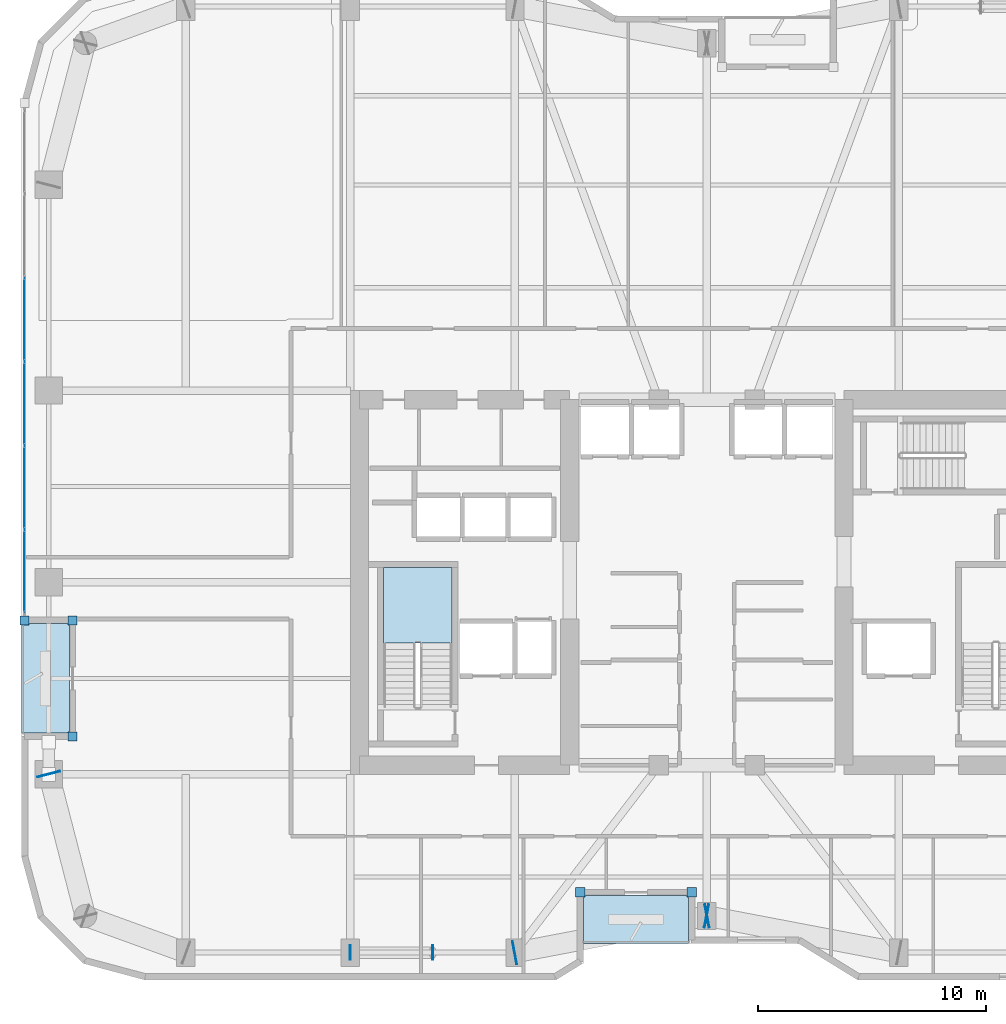
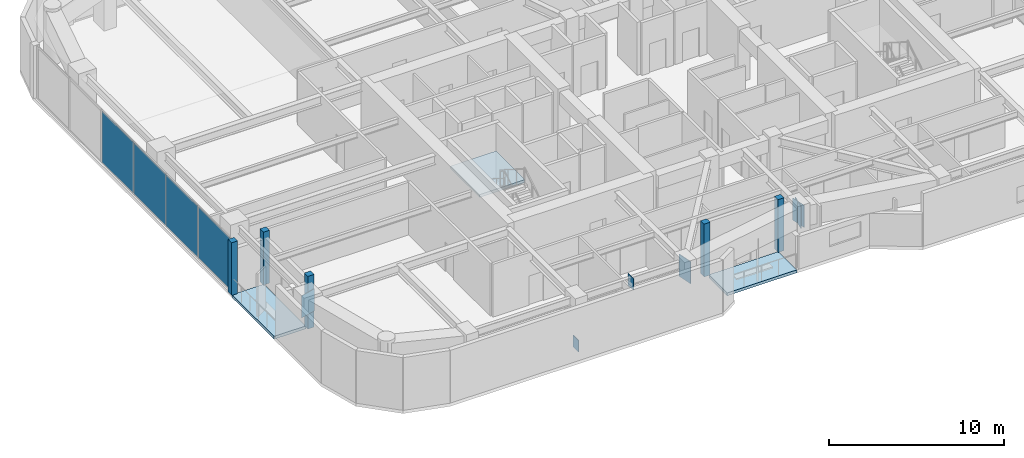
# One storey, part 21 of 30: 15 plates, 3 slabs, 2 elements without a shape of their own.
"""IFC4 building model written with IfcOpenShell, lengths in metres."""

from ifc_helpers import new_model, si_unit, direction, frame, origin, origin_2d, place, context, subcontext, project, spatial, polyline, rectangle, outline, extrude, material, layer, layer_set, type_object, element, aggregate, save


model = new_model("IFC4")

# Units and contexts
model_context = context("Model", 3, precision=1e-05, world=origin(), true_north=direction((0.0, 1.0)))
body_context = subcontext(model_context, "Body", "Model", "MODEL_VIEW")
ifc_project = project(units=[si_unit("LENGTHUNIT", "METRE"), si_unit("AREAUNIT", "SQUARE_METRE"), si_unit("VOLUMEUNIT", "CUBIC_METRE"), si_unit("PLANEANGLEUNIT", "RADIAN"), si_unit("MASSUNIT", "GRAM", prefix="KILO")], contexts=[model_context])

# Site, building, storey
site_placement = place(None, origin())
site = spatial("IfcSite", under=ifc_project, at=site_placement, CompositionType="ELEMENT")
building_placement = place(site_placement, origin())
building = spatial("IfcBuilding", under=site, at=building_placement, Name="Kiyonajd Concourse Tower", CompositionType="ELEMENT")
storey_placement = place(building_placement, frame((0.0, 0.0, 162.300048828125)))
storey = spatial("IfcBuildingStorey", under=building, at=storey_placement, Name="L41", CompositionType="ELEMENT", Elevation=162.300048828125)

# Plates
ifc_material_1 = material(Name="Steel ASTM A572 Grade 50", Category="steel")
ifc_layer_1 = layer(ifc_material_1, 0.028076171875)
ifc_layer_set_1 = layer_set([ifc_layer_1], Name="Steel ASTM A572 Grade 50")
plate_type_1 = type_object("IfcPlateType", Name="PL-CAP-450", PredefinedType="USERDEFINED", material=ifc_layer_set_1)
for number, where, z_axis, x_axis, name in (
    (1, (32.3916015625, 19.800048828125, -0.10888671875), (0.0, 0.0, 1.0), (-1.0, 0.0, 0.0), "L41 Hollow Brace End Cap Plate PBS"),
    (2, (36.00830078125, 19.800048828125, 2.93505859375), (0.0, 0.0, 1.0), (1.0, 0.0, 0.0), "L41 Hollow Brace Top Cap Plate PBS"),
):
    element("IfcPlate", number, at=place(storey_placement, frame(where, z_axis=z_axis, x_axis=x_axis)), inside=storey, type_object=plate_type_1, Name=name, ObjectType="CAP PLATE", PredefinedType="USERDEFINED", context=body_context, shape_type="SweptSolid", body=[
        extrude(rectangle(XDim=0.035888671875, YDim=0.6279296875, at=origin_2d()), origin(), (0.0, 0.0, 1.0), 0.803955078125),
    ])
ifc_layer_2 = layer(ifc_material_1, 0.031982421875)
ifc_layer_set_2 = layer_set([ifc_layer_2], Name="Steel ASTM A572 Grade 50")
plate_type_2 = type_object("IfcPlateType", Name="PL-CAP-540", PredefinedType="USERDEFINED", material=ifc_layer_set_2)
for number, where, z_axis, x_axis, name in (
    (3, (19.197265625, 27.610595703125, 2.2099609375), (0.0, 0.0, 1.0), (-0.249873048837, 0.968278606324, 0.0), "L41 Welded Box Girder End Cap"),
    (4, (39.589111328125, 19.7978515625, 2.2099609375), (0.0, 0.0, 1.0), (-0.982352599301, -0.187038420242, 0.0), "L41 Welded Box Girder End Cap"),
    (5, (48.0107421875, 21.402099609375, 2.2099609375), (0.0, 0.0, 1.0), (0.982352599301, 0.187038420242, 0.0), "L41 Welded Box Girder End Cap"),
    (6, (47.9892578125, 21.402099609375, 2.2099609375), (0.0, 0.0, 1.0), (-0.982352599301, 0.187038420242, 0.0), "L41 Welded Box Girder End Cap"),
):
    element("IfcPlate", number, at=place(storey_placement, frame(where, z_axis=z_axis, x_axis=x_axis)), inside=storey, type_object=plate_type_2, Name=name, ObjectType="CAP PLATE", PredefinedType="USERDEFINED", context=body_context, shape_type="SweptSolid", body=[
        extrude(rectangle(XDim=0.035888671875, YDim=1.02001953125, at=origin_2d()), origin(), (0.0, 0.0, 1.0), 1.5400390625),
    ])

# Curtain wall, plates
ifc_material_2 = material(Name="Thermally Broken Anodised Aluminium", Category="aluminium")
ifc_layer_3 = layer(ifc_material_2, 0.179931640625)
ifc_layer_set_3 = layer_set([ifc_layer_3], Name="Thermally Broken Anodised Aluminium")
curtain_wall_type = type_object("IfcCurtainWallType", Name="CW-SYS-03", PredefinedType="NOTDEFINED", material=ifc_layer_set_3)
curtain_wall_placement = place(storey_placement, origin())
curtain_wall = element("IfcCurtainWall", 7, at=curtain_wall_placement, inside=storey, type_object=curtain_wall_type, Name="L41 Unitised Curtain Wall CW3", PredefinedType="NOTDEFINED")
ifc_material_3 = material(Name="Double Low-E Insulated Glass", Category="glass")
ifc_layer_4 = layer(ifc_material_3, 0.033935546875)
ifc_layer_set_4 = layer_set([ifc_layer_4], Name="Double Low-E Insulated Glass")
plate_type_3 = type_object("IfcPlateType", Name="PL-CW-VIS34", PredefinedType="CURTAIN_PANEL", material=ifc_layer_set_4)
plate_1_placement = place(storey_placement, frame((18.139892578125, 36.484619140625, 0.06494140625), z_axis=(0.0, 0.0, 1.0), x_axis=(0.0, 1.0, 0.0)))
plate_1 = element("IfcPlate", 8, at=plate_1_placement, type_object=plate_type_3, Name="CW3 panel 1.1", PredefinedType="CURTAIN_PANEL", context=body_context, shape_type="SweptSolid", body=[
    extrude(rectangle(XDim=3.579345703125, YDim=0.033935546875, at=origin_2d()), origin(), (0.0, 0.0, 1.0), 3.550048828125),
])
plate_2_placement = place(storey_placement, frame((18.139892578125, 40.1455078125, 0.06494140625), z_axis=(0.0, 0.0, 1.0), x_axis=(0.0, 1.0, 0.0)))
plate_2 = element("IfcPlate", 9, at=plate_2_placement, type_object=plate_type_3, Name="CW3 panel 2.1", PredefinedType="CURTAIN_PANEL", context=body_context, shape_type="SweptSolid", body=[
    extrude(rectangle(XDim=3.61181640625, YDim=0.033935546875, at=origin_2d()), origin(), (0.0, 0.0, 1.0), 3.550048828125),
])
plate_3_placement = place(storey_placement, frame((18.139892578125, 43.822265625, 0.06494140625), z_axis=(0.0, 0.0, 1.0), x_axis=(0.0, 1.0, 0.0)))
plate_3 = element("IfcPlate", 10, at=plate_3_placement, type_object=plate_type_3, Name="CW3 panel 3.1", PredefinedType="CURTAIN_PANEL", context=body_context, shape_type="SweptSolid", body=[
    extrude(rectangle(XDim=3.61181640625, YDim=0.033935546875, at=origin_2d()), origin(), (0.0, 0.0, 1.0), 3.550048828125),
])
plate_4_placement = place(storey_placement, frame((18.139892578125, 47.499267578125, 0.06494140625), z_axis=(0.0, 0.0, 1.0), x_axis=(0.0, 1.0, 0.0)))
plate_4 = element("IfcPlate", 11, at=plate_4_placement, type_object=plate_type_3, Name="CW3 panel 4.1", PredefinedType="CURTAIN_PANEL", context=body_context, shape_type="SweptSolid", body=[
    extrude(rectangle(XDim=3.61181640625, YDim=0.033935546875, at=origin_2d()), origin(), (0.0, 0.0, 1.0), 3.550048828125),
])
aggregate(curtain_wall, [plate_1, plate_2, plate_3, plate_4])

# Plates
ifc_layer_5 = layer(ifc_material_2, 0.39990234375)
ifc_layer_set_5 = layer_set([ifc_layer_5], Name="Thermally Broken Anodised Aluminium")
plate_type_4 = type_object("IfcPlateType", Name="PL-JMB-400", PredefinedType="USERDEFINED", material=ifc_layer_set_5)
for number, where, z_axis, x_axis, name in (
    (12, (20.239990234375, 29.260009765625, 0.0), (0.0, 0.0, 1.0), (1.0, 0.0, 0.0), "L41 Facade Jamb Closure Plate 01"),
    (13, (20.239990234375, 34.340087890625, 0.0), (0.0, 0.0, 1.0), (1.0, 0.0, 0.0), "L41 Facade Jamb Closure Plate 02"),
    (14, (18.139892578125, 34.340087890625, 0.0), (0.0, 0.0, 1.0), (1.0, 0.0, 0.0), "L41 Facade Jamb Closure Plate 03"),
    (15, (47.340087890625, 22.43994140625, 0.0), (0.0, 0.0, 1.0), (1.0, 0.0, 0.0), "L41 Facade Jamb Closure Plate 13"),
    (16, (42.4599609375, 22.43994140625, 0.0), (0.0, 0.0, 1.0), (1.0, 0.0, 0.0), "L41 Facade Jamb Closure Plate 14"),
):
    element("IfcPlate", number, at=place(storey_placement, frame(where, z_axis=z_axis, x_axis=x_axis)), inside=storey, type_object=plate_type_4, Name=name, ObjectType="JAMB PLATE", PredefinedType="USERDEFINED", context=body_context, shape_type="SweptSolid", body=[
        extrude(rectangle(XDim=0.39990234375, YDim=0.39990234375, at=origin_2d()), origin(), (0.0, 0.0, 1.0), 3.679931640625),
    ])

# Stair, slab
ifc_material_4 = material(Name="Concrete C40/50", Category="concrete")
stair_type = type_object("IfcStairType", Name="ST-DLG-22R", PredefinedType="HALF_TURN_STAIR", material=ifc_material_4)
stair_placement = place(storey_placement, origin())
stair = element("IfcStair", 17, at=stair_placement, inside=storey, type_object=stair_type, Name="L41 Protected Exit Stair ST1", PredefinedType="HALF_TURN_STAIR")
ifc_layer_6 = layer(ifc_material_4, 0.199951171875)
ifc_layer_set_6 = layer_set([ifc_layer_6], Name="Concrete C40/50")
slab_type_1 = type_object("IfcSlabType", Name="SL-LND-200", PredefinedType="LANDING", material=ifc_layer_set_6)
slab_1_placement = place(storey_placement, frame((0.0, 0.0, 1.75)))
slab_1 = element("IfcSlab", 18, at=slab_1_placement, type_object=slab_type_1, Name="ST1 landing 1", PredefinedType="LANDING", context=body_context, shape_type="SweptSolid", body=[
    extrude(outline(polyline([(36.85009765625, 33.35009765625), (36.85009765625, 36.64990234375), (33.85009765625, 36.64990234375), (33.85009765625, 33.35009765625), (36.85009765625, 33.35009765625)])), origin(), (0.0, 0.0, 1.0), 0.199951171875),
])
aggregate(stair, [slab_1])

# Slabs
ifc_material_5 = material(Name="Precast concrete C50/60", Category="concrete")
ifc_layer_7 = layer(ifc_material_5, 0.199951171875)
ifc_layer_set_7 = layer_set([ifc_layer_7], Name="Precast concrete C50/60")
slab_type_2 = type_object("IfcSlabType", Name="SL-LOG-200", PredefinedType="FLOOR", material=ifc_layer_set_7)
slab_2_placement = place(storey_placement, frame((0.0, 0.0, -0.199951171875)))
element("IfcSlab", 19, at=slab_2_placement, inside=storey, type_object=slab_type_2, Name="L41 Recessed Engawa Loggia Terrace Slab LOG-S", PredefinedType="FLOOR", context=body_context, shape_type="SweptSolid", body=[
    extrude(outline(polyline([(42.60009765625, 20.199951171875), (47.199951171875, 20.199951171875), (47.199951171875, 22.300048828125), (42.60009765625, 22.300048828125), (42.60009765625, 20.199951171875)])), origin(), (0.0, 0.0, 1.0), 0.199951171875),
])
slab_3_placement = place(storey_placement, frame((0.0, 0.0, -0.199951171875)))
element("IfcSlab", 20, at=slab_3_placement, inside=storey, type_object=slab_type_2, Name="L41 Recessed Engawa Loggia Terrace Slab LOG-W", PredefinedType="FLOOR", context=body_context, shape_type="SweptSolid", body=[
    extrude(outline(polyline([(18.0, 29.39990234375), (20.10009765625, 29.39990234375), (20.10009765625, 34.199951171875), (18.0, 34.199951171875), (18.0, 29.39990234375)])), origin(), (0.0, 0.0, 1.0), 0.199951171875),
])

save(model, "model.ifc")
